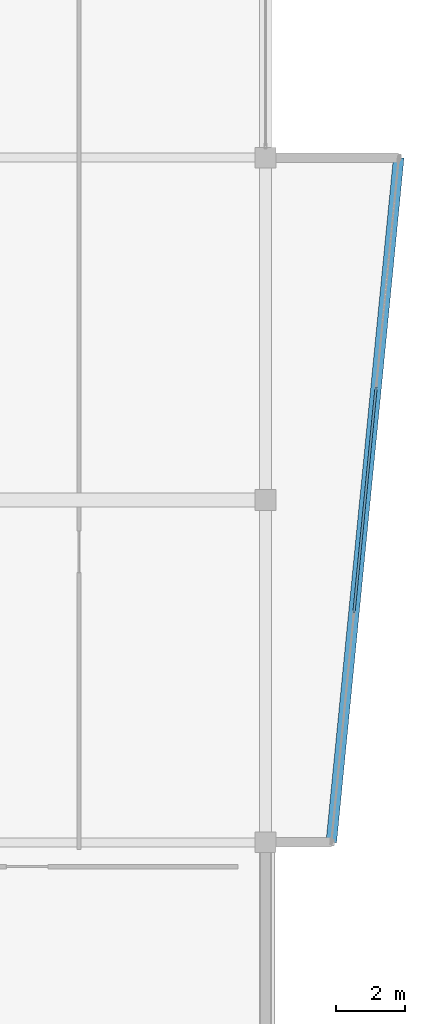
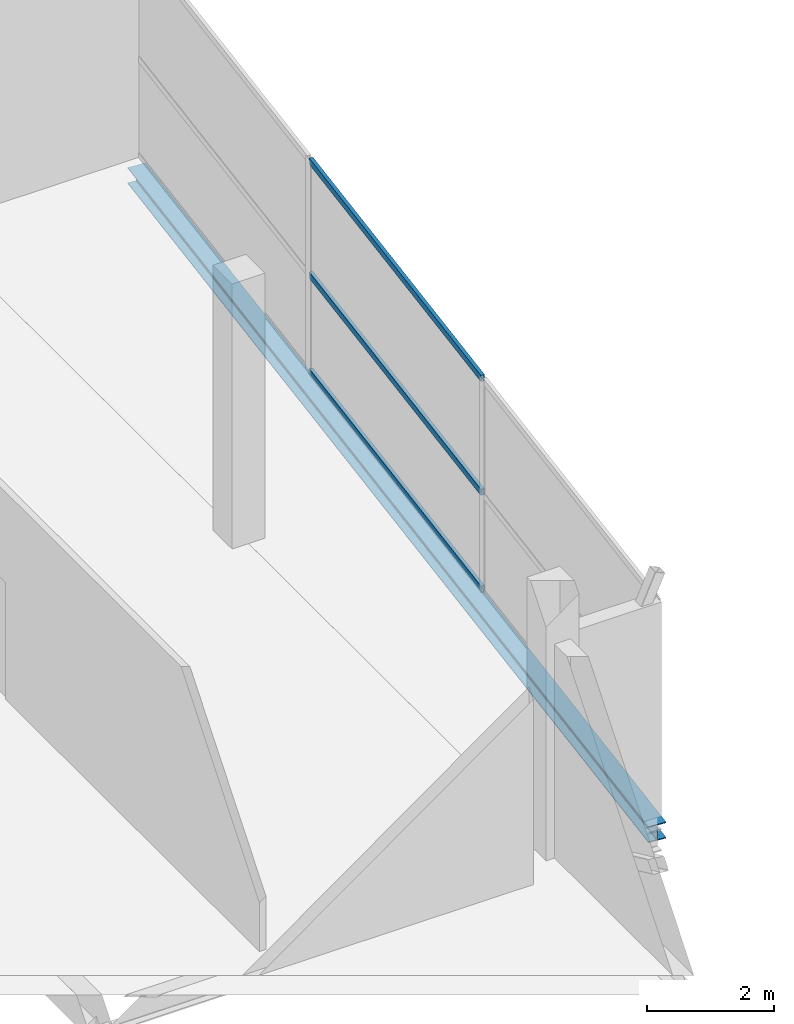
# One storey, part 18 of 66: 3 members, 1 beam, 1 element without a shape of its own.
"""IFC4 building model written with IfcOpenShell, lengths in metres."""

import ifcopenshell
import ifcopenshell.guid

model = None  # the IFC model being written
_history = None  # IfcOwnerHistory: only IFC2X3 demands one
_inside = {}  # id of a spatial element -> (the spatial element, [elements in it])
_under = {}  # id of a project, library or spatial element -> (it, [spatial elements below it])
_declared = {}  # id of a project -> (the project, [libraries it declares])
_typed = {}  # id of a type object -> (the type object, [elements of that type])
_made_of = {}  # id of a material, layer set ... -> (it, [elements and type objects made of it])


def new_model(schema):
    """Start an empty IFC model of exactly this schema.

    Asked for "IFC4X3", IfcOpenShell would pick the latest addendum, in which some entities
    have other attributes; the version numbers below select the first issue.
    IFC2X3 requires an IfcOwnerHistory on every rooted entity: one is made here for all.
    """
    global model, _history
    if schema == "IFC4X3":
        model = ifcopenshell.file(schema_version=(4, 3, 0, 0))
    else:
        model = ifcopenshell.file(schema=schema)
    _inside.clear()
    _under.clear()
    _declared.clear()
    _typed.clear()
    _made_of.clear()
    _history = None
    if model.schema == "IFC2X3":
        org = make("IfcOrganization", Name="unknown")
        user = make(
            "IfcPersonAndOrganization",
            ThePerson=make("IfcPerson", FamilyName="unknown"),
            TheOrganization=org,
        )
        app = make(
            "IfcApplication",
            ApplicationDeveloper=org,
            Version="unknown",
            ApplicationFullName="unknown",
            ApplicationIdentifier="unknown",
        )
        _history = make(
            "IfcOwnerHistory",
            OwningUser=user,
            OwningApplication=app,
            ChangeAction="ADDED",
            CreationDate=0,
        )
    return model


def make(cls, **values):
    """One entity of the class cls with the attributes given. An attribute that is None is left unset."""
    return model.create_entity(
        cls, **{name: value for name, value in values.items() if value is not None}
    )


def rooted(cls, **values):
    """An entity with a GlobalId (a new one), such as an element, a storey or a relation."""
    return make(cls, GlobalId=ifcopenshell.guid.new(), OwnerHistory=_history, **values)


def si_unit(unit_type, name, prefix=None):
    """IfcSIUnit, for example si_unit("LENGTHUNIT", "METRE", prefix="MILLI")."""
    return make("IfcSIUnit", UnitType=unit_type, Prefix=prefix, Name=name)


def assignment(units):
    """IfcUnitAssignment: the units of a project."""
    return None if units is None else make("IfcUnitAssignment", Units=units)


def point(xyz):
    """IfcCartesianPoint."""
    return None if xyz is None else make("IfcCartesianPoint", Coordinates=xyz)


def direction(xyz):
    """IfcDirection."""
    return None if xyz is None else make("IfcDirection", DirectionRatios=xyz)


def frame(location, z_axis=None, x_axis=None):
    """IfcAxis2Placement3D, a coordinate frame: its origin and axes. An axis left out is left unset."""
    return make(
        "IfcAxis2Placement3D",
        Location=point(location),
        Axis=direction(z_axis),
        RefDirection=direction(x_axis),
    )


def frame_2d(location, x_axis=None):
    """IfcAxis2Placement2D, a coordinate frame in the plane: its origin and x axis."""
    return make(
        "IfcAxis2Placement2D", Location=point(location), RefDirection=direction(x_axis)
    )


def origin():
    """The frame at (0, 0, 0) with its axes left unset."""
    return frame((0.0, 0.0, 0.0))


def origin_2d():
    """The frame at (0, 0) in the plane with its x axis left unset."""
    return frame_2d((0.0, 0.0))


def place(relative_to, where):
    """IfcLocalPlacement: puts the frame where relative to a parent placement (None: the world)."""
    return make(
        "IfcLocalPlacement", PlacementRelTo=relative_to, RelativePlacement=where
    )


def context(
    kind, dimensions, precision=None, world=None, true_north=None, identifier=None
):
    """IfcGeometricRepresentationContext, for example the 3D "Model" context."""
    return make(
        "IfcGeometricRepresentationContext",
        ContextIdentifier=identifier,
        ContextType=kind,
        CoordinateSpaceDimension=dimensions,
        Precision=precision,
        WorldCoordinateSystem=world,
        TrueNorth=true_north,
    )


def subcontext(parent, identifier, kind, view, scale=None):
    """IfcGeometricRepresentationSubContext, for example "Body" below "Model"."""
    return make(
        "IfcGeometricRepresentationSubContext",
        ContextIdentifier=identifier,
        ContextType=kind,
        ParentContext=parent,
        TargetScale=scale,
        TargetView=view,
    )


def project(units=None, contexts=None):
    """IfcProject with its units and contexts."""
    return rooted(
        "IfcProject",
        Name="project",
        RepresentationContexts=contexts,
        UnitsInContext=assignment(units),
    )


def spatial(cls, under=None, at=None, **own):
    """A site, building, storey or space (cls), placed at a placement, below another one or the project."""
    s = rooted(cls, ObjectPlacement=at, **own)
    if under is not None:
        _under.setdefault(under.id(), (under, []))[1].append(s)
    return s


def profile(cls, at=None, kind="AREA", **sizes):
    """A parametric profile (cls). Its sizes go by their IFC names, for example OverallWidth=200.0."""
    return make(cls, ProfileType=kind, Position=at, **sizes)


def hollow_rectangle(**sizes):
    """IfcRectangleHollowProfileDef."""
    return profile("IfcRectangleHollowProfileDef", **sizes)


def i_section(**sizes):
    """IfcIShapeProfileDef."""
    return profile("IfcIShapeProfileDef", **sizes)


def extrude(swept, where, along, depth):
    """IfcExtrudedAreaSolid: the profile swept, set in the frame where, extruded along a direction by depth."""
    return make(
        "IfcExtrudedAreaSolid",
        SweptArea=swept,
        Position=where,
        ExtrudedDirection=direction(along),
        Depth=depth,
    )


def shape(context_of_items, identifier, shape_type, items):
    """IfcShapeRepresentation: the items that make up one representation, for example the "Body"."""
    return make(
        "IfcShapeRepresentation",
        ContextOfItems=context_of_items,
        RepresentationIdentifier=identifier,
        RepresentationType=shape_type,
        Items=items,
    )


def material(Name=None, Category=None):
    """IfcMaterial."""
    return make("IfcMaterial", Name=Name, Category=Category)


def layer(
    of_material, thickness, ventilated=None, Name=None, Category=None, Priority=None
):
    """IfcMaterialLayer: one layer of a wall or slab, of a material (None: an air gap)."""
    return make(
        "IfcMaterialLayer",
        Material=of_material,
        LayerThickness=thickness,
        IsVentilated=ventilated,
        Name=Name,
        Category=Category,
        Priority=Priority,
    )


def layer_set(layers, Name=None):
    """IfcMaterialLayerSet."""
    return make("IfcMaterialLayerSet", MaterialLayers=layers, LayerSetName=Name)


def material_profile(
    of_material, cross_section, Name=None, Category=None, Priority=None
):
    """IfcMaterialProfile: a cross section and its material."""
    return make(
        "IfcMaterialProfile",
        Name=Name,
        Material=of_material,
        Profile=cross_section,
        Priority=Priority,
        Category=Category,
    )


def profile_set(profiles, Name=None, composite=None):
    """IfcMaterialProfileSet."""
    return make(
        "IfcMaterialProfileSet",
        Name=Name,
        MaterialProfiles=profiles,
        CompositeProfile=composite,
    )


def made_of(thing, what):
    """Note that an element or type object is made of a material, layer set ...; save() writes the relation."""
    if what is not None:
        _made_of.setdefault(what.id(), (what, []))[1].append(thing)
    return thing


def type_object(cls, material=None, **own):
    """A type object (cls), such as IfcWallType, which elements share."""
    return made_of(rooted(cls, **own), material)


def element(
    cls,
    number,
    at=None,
    inside=None,
    cuts=None,
    type_object=None,
    material=None,
    context=None,
    identifier="Body",
    shape_type=None,
    held_by="IfcProductDefinitionShape",
    body=None,
    shapes=None,
    **own,
):
    """One element of the class cls, such as IfcWall. Its Tag is "e" and its number.

    at: its placement. inside: the storey or other place that contains it. cuts: it is an
    opening in that element (IfcRelVoidsElement). A single representation is given by context,
    identifier, shape_type and body (its items); several are given by shapes. held_by: the class
    of the entity that holds the representations. save() writes the other relations.
    """
    e = rooted(cls, Tag="e%d" % number, ObjectPlacement=at, **own)
    if body is not None:
        shapes = [shape(context, identifier, shape_type, body)]
    if shapes is not None:
        e.Representation = make(held_by, Representations=shapes)
    if inside is not None:
        _inside.setdefault(inside.id(), (inside, []))[1].append(e)
    if cuts is not None:
        rooted(
            "IfcRelVoidsElement", RelatingBuildingElement=cuts, RelatedOpeningElement=e
        )
    if type_object is not None:
        _typed.setdefault(type_object.id(), (type_object, []))[1].append(e)
    return made_of(e, material)


def aggregate(whole, parts):
    """IfcRelAggregates: a whole, such as a stair, and the parts it consists of."""
    return rooted("IfcRelAggregates", RelatingObject=whole, RelatedObjects=parts)


def save(model, path):
    """Write the relations noted so far, then the file.

    IfcRelAggregates (storeys below a building ...), IfcRelContainedInSpatialStructure (elements
    in a storey), IfcRelDefinesByType, IfcRelAssociatesMaterial and IfcRelDeclares: one each for
    every whole, place, type object, material and project.
    """
    for whole, parts in _under.values():
        aggregate(whole, parts)
    for where, things in _inside.values():
        rooted(
            "IfcRelContainedInSpatialStructure",
            RelatedElements=things,
            RelatingStructure=where,
        )
    for kind, things in _typed.values():
        rooted("IfcRelDefinesByType", RelatedObjects=things, RelatingType=kind)
    for what, things in _made_of.values():
        rooted("IfcRelAssociatesMaterial", RelatedObjects=things, RelatingMaterial=what)
    for by, libraries in _declared.values():
        rooted("IfcRelDeclares", RelatingContext=by, RelatedDefinitions=libraries)
    model.write(path)


model = new_model("IFC4")

# Units and contexts
model_context = context("Model", 3, precision=1e-05, world=origin(), true_north=direction((0.0, 1.0)))
body_context = subcontext(model_context, "Body", "Model", "MODEL_VIEW")
ifc_project = project(units=[si_unit("LENGTHUNIT", "METRE"), si_unit("AREAUNIT", "SQUARE_METRE"), si_unit("VOLUMEUNIT", "CUBIC_METRE"), si_unit("PLANEANGLEUNIT", "RADIAN"), si_unit("MASSUNIT", "GRAM", prefix="KILO")], contexts=[model_context])

# Site, building, storey
site_placement = place(None, origin())
site = spatial("IfcSite", under=ifc_project, at=site_placement, CompositionType="ELEMENT")
building_placement = place(site_placement, origin())
building = spatial("IfcBuilding", under=site, at=building_placement, Name="Sillaruma Civic Art Gallery", CompositionType="ELEMENT")
storey_placement = place(building_placement, frame((0.0, 0.0, 57.1201171875)))
storey = spatial("IfcBuildingStorey", under=building, at=storey_placement, Name="L11", CompositionType="ELEMENT", Elevation=57.1201171875)

# Beam
ifc_material_1 = material(Name="Structural Steel ASTM A992 Gr.50", Category="steel")
ifc_material_profile_1 = material_profile(ifc_material_1, i_section(OverallWidth=0.305908203125, OverallDepth=0.31103515625, WebThickness=0.010986328125, FlangeThickness=0.01708984375, FilletRadius=0.014892578125, at=origin_2d()), Name="W310x107")
ifc_profile_set_1 = profile_set([ifc_material_profile_1], Name="Structural Steel ASTM A992 Gr.50")
beam_type = type_object("IfcBeamType", Name="BM-PROW-W310x107", PredefinedType="SPANDREL", material=ifc_profile_set_1)
beam_placement = place(storey_placement, frame((116.300048828125, 29.699951171875, -0.405517578125), z_axis=(0.098008009694, 0.995185625919, 0.0), x_axis=(-0.995185625919, 0.098008009694, 0.0)))
element("IfcBeam", 1, at=beam_placement, inside=storey, type_object=beam_type, Name="Angled Prow Edge Spandrel (PRW-L11-E-FLR)", PredefinedType="SPANDREL", context=body_context, shape_type="SweptSolid", body=[
    extrude(i_section(OverallWidth=0.305908203125, OverallDepth=0.31103515625, WebThickness=0.010986328125, FlangeThickness=0.01708984375, FilletRadius=0.014892578125, at=origin_2d()), origin(), (0.0, 0.0, 1.0), 19.895751953125),
])

# Curtain wall, members
ifc_material_2 = material(Name="Thermally Broken Extruded Aluminium 6063-T6", Category="aluminium")
ifc_layer = layer(ifc_material_2, 0.179931640625, Name="Thermally Broken Extruded Aluminium 6063-T6")
ifc_layer_set = layer_set([ifc_layer], Name="Thermally Broken Extruded Aluminium 6063-T6")
curtain_wall_type = type_object("IfcCurtainWallType", Name="CW-UNI-88", PredefinedType="NOTDEFINED", material=ifc_layer_set)
curtain_wall_placement = place(storey_placement, origin())
curtain_wall = element("IfcCurtainWall", 2, at=curtain_wall_placement, inside=storey, type_object=curtain_wall_type, Name="Unitised Curtain Wall CW-88 (CW-PRW-L11-E-ANG)", PredefinedType="NOTDEFINED")
ifc_material_profile_2 = material_profile(ifc_material_2, hollow_rectangle(XDim=0.06494140625, YDim=0.1201171875, WallThickness=0.00341796875, at=origin_2d()), Name="CWT65x120")
ifc_profile_set_2 = profile_set([ifc_material_profile_2], Name="Thermally Broken Extruded Aluminium 6063-T6")
member_type = type_object("IfcMemberType", Name="MEM-TRN-CWT65x120", PredefinedType="USERDEFINED", material=ifc_profile_set_2)
member_1_placement = place(storey_placement, frame((116.953369140625, 36.334716796875, 0.032470703125), z_axis=(0.098033848674, 0.995183080902, 0.0), x_axis=(-0.995183080902, 0.098033848674, 0.0)))
member_1 = element("IfcMember", 3, at=member_1_placement, type_object=member_type, Name="CW-88 transom 2.1", ObjectType="TRANSOM", PredefinedType="USERDEFINED", context=body_context, shape_type="SweptSolid", body=[
    extrude(hollow_rectangle(XDim=0.06494140625, YDim=0.1201171875, WallThickness=0.00341796875, at=origin_2d()), origin(), (0.0, 0.0, 1.0), 6.56201171875),
])
member_2_placement = place(storey_placement, frame((116.953369140625, 36.334716796875, 1.89501953125), z_axis=(0.098033848674, 0.995183080902, 0.0), x_axis=(-0.995183080902, 0.098033848674, 0.0)))
member_2 = element("IfcMember", 4, at=member_2_placement, type_object=member_type, Name="CW-88 transom 2.2", ObjectType="TRANSOM", PredefinedType="USERDEFINED", context=body_context, shape_type="SweptSolid", body=[
    extrude(hollow_rectangle(XDim=0.06494140625, YDim=0.1201171875, WallThickness=0.00341796875, at=origin_2d()), origin(), (0.0, 0.0, 1.0), 6.56201171875),
])
member_3_placement = place(storey_placement, frame((116.953369140625, 36.334716796875, 4.08740234375), z_axis=(0.098033848674, 0.995183080902, 0.0), x_axis=(-0.995183080902, 0.098033848674, 0.0)))
member_3 = element("IfcMember", 5, at=member_3_placement, type_object=member_type, Name="CW-88 transom 2.3", ObjectType="TRANSOM", PredefinedType="USERDEFINED", context=body_context, shape_type="SweptSolid", body=[
    extrude(hollow_rectangle(XDim=0.06494140625, YDim=0.1201171875, WallThickness=0.00341796875, at=origin_2d()), origin(), (0.0, 0.0, 1.0), 6.56201171875),
])
aggregate(curtain_wall, [member_1, member_2, member_3])

save(model, "model.ifc")
